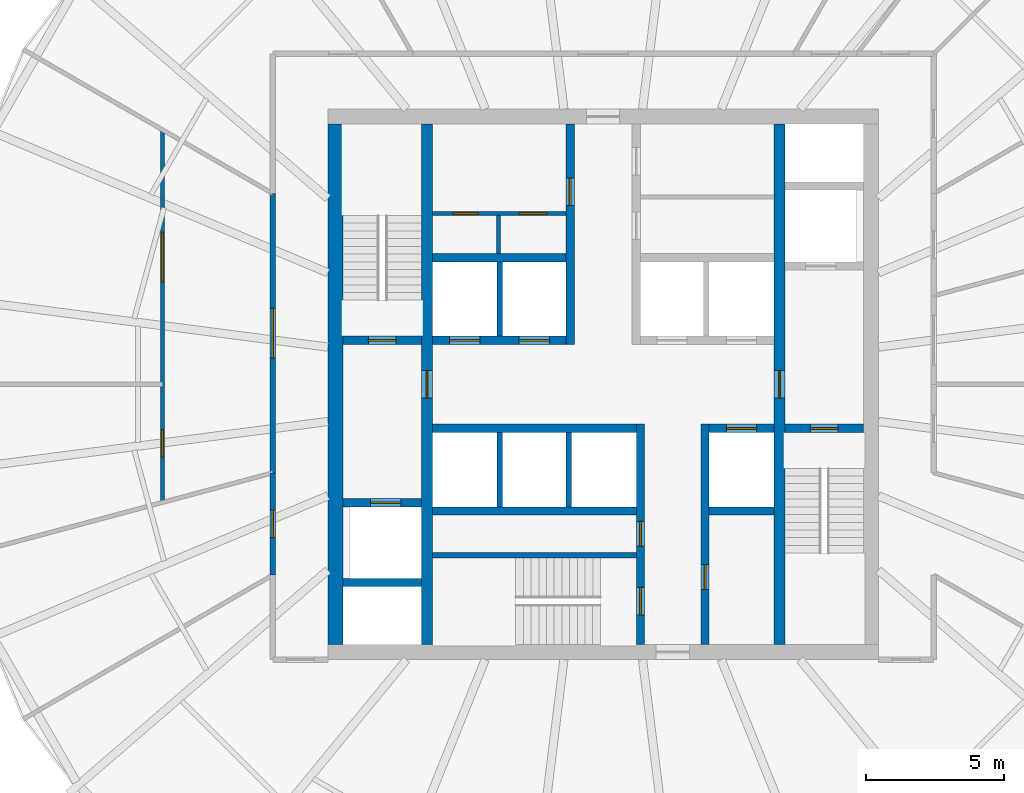
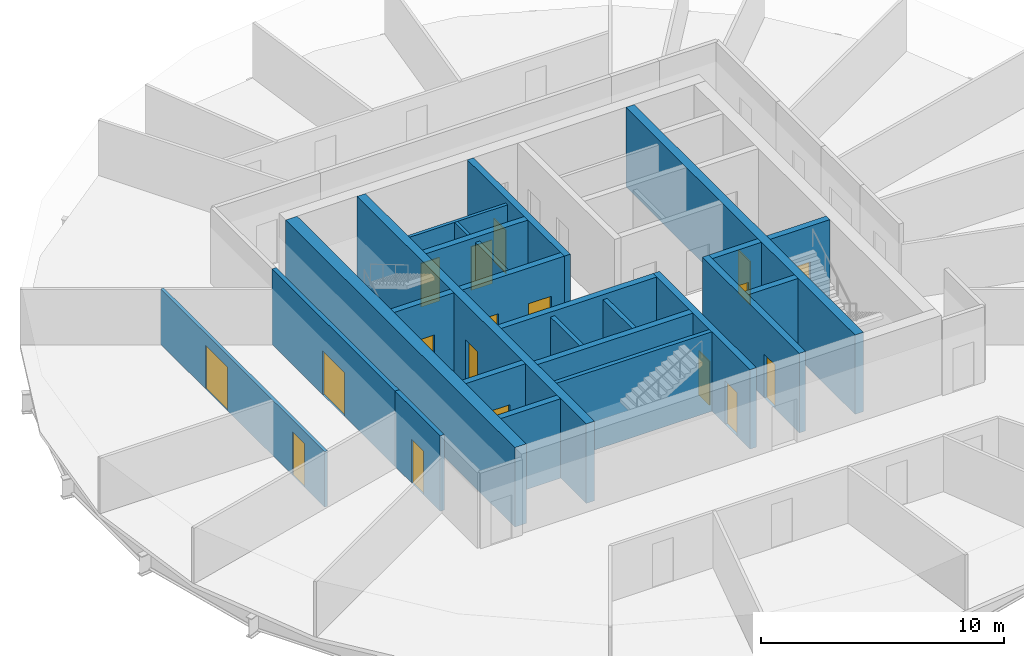
# One storey, part 3 of 6: 25 walls, 18 doors, 18 openings.
"""IFC4 building model written with IfcOpenShell, lengths in metres."""

from ifc_helpers import new_model, si_unit, direction, frame, frame_2d, origin, place, context, subcontext, project, spatial, rectangle, extrude, material, layer, layer_set, type_object, element, fill, save


model = new_model("IFC4")

# Units and contexts
model_context = context("Model", 3, precision=1e-05, world=origin(), true_north=direction((0.0, 1.0)))
body_context = subcontext(model_context, "Body", "Model", "MODEL_VIEW")
ifc_project = project(units=[si_unit("LENGTHUNIT", "METRE"), si_unit("AREAUNIT", "SQUARE_METRE"), si_unit("VOLUMEUNIT", "CUBIC_METRE"), si_unit("PLANEANGLEUNIT", "RADIAN"), si_unit("MASSUNIT", "GRAM", prefix="KILO")], contexts=[model_context])

# Site, building, storey
site_placement = place(None, origin())
site = spatial("IfcSite", under=ifc_project, at=site_placement, CompositionType="ELEMENT")
building_placement = place(site_placement, origin())
building = spatial("IfcBuilding", under=site, at=building_placement, Name="Golbaran Civic Tower", CompositionType="ELEMENT")
storey_placement = place(building_placement, frame((0.0, 0.0, 142.0)))
storey = spatial("IfcBuildingStorey", under=building, at=storey_placement, Name="L34", CompositionType="ELEMENT", Elevation=142.0)

# Wall, opening, door
ifc_material_1 = material(Name="Concrete C50/60", Category="concrete")
ifc_layer_1 = layer(ifc_material_1, 0.39990234375, Name="Concrete C50/60")
ifc_layer_set_1 = layer_set([ifc_layer_1], Name="Concrete C50/60")
wall_type_1 = type_object("IfcWallType", Name="CORE WALL CONCRETE 400", PredefinedType="SOLIDWALL", material=ifc_layer_set_1)
wall_1_placement = place(storey_placement, frame((-6.39990234375, -9.449951171875, 0.0), z_axis=(0.0, 0.0, 1.0), x_axis=(0.0, 1.0, 0.0)))
wall_1 = element("IfcWall", 1, at=wall_1_placement, inside=storey, type_object=wall_type_1, Name="Core wall IW L34", PredefinedType="SOLIDWALL", context=body_context, shape_type="SweptSolid", body=[
    extrude(rectangle(XDim=18.89990234375, YDim=0.39990234375, at=frame_2d((9.449951171875, 0.0))), origin(), (0.0, 0.0, 1.0), 4.0),
])
opening_1_placement = place(wall_1_placement, frame((8.949951171875, 0.0, 0.0)))
opening_1 = element("IfcOpeningElement", 2, at=opening_1_placement, cuts=wall_1, Name="Opening L34.FL1", PredefinedType="OPENING", context=body_context, shape_type="SweptSolid", body=[
    extrude(rectangle(XDim=1.0, YDim=2.199951171875, at=frame_2d((0.5, 1.10009765625))), frame((0.0, 0.2099609375, 0.0), z_axis=(0.0, -1.0, 0.0), x_axis=(1.0, 0.0, 0.0)), (0.0, 0.0, 1.0), 0.419921875),
])
ifc_material_2 = material(Name="Timber door set in steel frame", Category="steel")
door_type_1 = type_object("IfcDoorType", Name="STAIR DOOR 1000x2200", OperationType="SINGLE_SWING_LEFT", PredefinedType="DOOR", material=ifc_material_2)
door_1_placement = place(opening_1_placement, origin())
door_1 = element("IfcDoor", 3, at=door_1_placement, inside=storey, type_object=door_type_1, Name="Fire-fighting lobby FL1 door", OperationType="SINGLE_SWING_LEFT", OverallHeight=2.199951171875, OverallWidth=1.0, PredefinedType="DOOR", context=body_context, shape_type="SweptSolid", body=[
    extrude(rectangle(XDim=1.0, YDim=2.199951171875, at=frame_2d((0.5, 1.10009765625))), frame((0.0, 0.02490234375, 0.0), z_axis=(0.0, -1.0, 0.0), x_axis=(1.0, 0.0, 0.0)), (0.0, 0.0, 1.0), 0.050048828125),
])
fill(opening_1, door_1)

wall_2_placement = place(storey_placement, frame((6.39990234375, 9.449951171875, 0.0), z_axis=(0.0, 0.0, 1.0), x_axis=(0.0, -1.0, 0.0)))
wall_2 = element("IfcWall", 4, at=wall_2_placement, inside=storey, type_object=wall_type_1, Name="Core wall IE L34", PredefinedType="SOLIDWALL", context=body_context, shape_type="SweptSolid", body=[
    extrude(rectangle(XDim=18.89990234375, YDim=0.39990234375, at=frame_2d((9.449951171875, 0.0))), origin(), (0.0, 0.0, 1.0), 4.0),
])
opening_2_placement = place(wall_2_placement, frame((8.949951171875, 0.0, 0.0)))
opening_2 = element("IfcOpeningElement", 5, at=opening_2_placement, cuts=wall_2, Name="Opening L34.FL2", PredefinedType="OPENING", context=body_context, shape_type="SweptSolid", body=[
    extrude(rectangle(XDim=1.0, YDim=2.199951171875, at=frame_2d((0.5, 1.10009765625))), frame((0.0, 0.2099609375, 0.0), z_axis=(0.0, -1.0, 0.0), x_axis=(1.0, 0.0, 0.0)), (0.0, 0.0, 1.0), 0.419921875),
])
door_2_placement = place(opening_2_placement, origin())
door_2 = element("IfcDoor", 6, at=door_2_placement, inside=storey, type_object=door_type_1, Name="Fire-fighting lobby FL2 door", OperationType="SINGLE_SWING_RIGHT", OverallHeight=2.199951171875, OverallWidth=1.0, PredefinedType="DOOR", context=body_context, shape_type="SweptSolid", body=[
    extrude(rectangle(XDim=1.0, YDim=2.199951171875, at=frame_2d((0.5, 1.10009765625))), frame((0.0, 0.02490234375, 0.0), z_axis=(0.0, -1.0, 0.0), x_axis=(1.0, 0.0, 0.0)), (0.0, 0.0, 1.0), 0.050048828125),
])
fill(opening_2, door_2)

# Wall
ifc_layer_2 = layer(ifc_material_1, 0.550048828125, Name="Concrete C50/60")
ifc_layer_set_2 = layer_set([ifc_layer_2], Name="Concrete C50/60")
wall_type_2 = type_object("IfcWallType", Name="CORE WALL CONCRETE 550", PredefinedType="SOLIDWALL", material=ifc_layer_set_2)
wall_3_placement = place(storey_placement, frame((-9.72509765625, 9.449951171875, 0.0), z_axis=(0.0, 0.0, 1.0), x_axis=(0.0, -1.0, 0.0)))
element("IfcWall", 7, at=wall_3_placement, inside=storey, type_object=wall_type_2, Name="Core wall CW L34", PredefinedType="SOLIDWALL", context=body_context, shape_type="SweptSolid", body=[
    extrude(rectangle(XDim=18.89990234375, YDim=0.550048828125, at=frame_2d((9.449951171875, 0.0))), origin(), (0.0, 0.0, 1.0), 4.0),
])

# Wall, opening, door
ifc_material_3 = material(Name="Gypsum board on steel studs, fire-rated", Category="steel")
ifc_layer_3 = layer(ifc_material_3, 0.199951171875, Name="Gypsum board on steel studs, fire-rated")
ifc_layer_set_3 = layer_set([ifc_layer_3], Name="Gypsum board on steel studs, fire-rated")
wall_type_3 = type_object("IfcWallType", Name="CORRIDOR WALL 200", PredefinedType="PARTITIONING", material=ifc_layer_set_3)
wall_4_placement = place(storey_placement, frame((-12.0, 6.92822265625, 0.0), z_axis=(0.0, 0.0, 1.0), x_axis=(0.0, -1.0, 0.0)))
wall_4 = element("IfcWall", 8, at=wall_4_placement, inside=storey, type_object=wall_type_3, Name="Corridor wall L34", PredefinedType="PARTITIONING", context=body_context, shape_type="SweptSolid", body=[
    extrude(rectangle(XDim=10.1435546875, YDim=0.199951171875, at=frame_2d((5.07177734375, 0.0))), origin(), (0.0, 0.0, 1.0), 3.800048828125),
])
opening_3_placement = place(wall_4_placement, frame((4.171875, 0.0, 0.0)))
opening_3 = element("IfcOpeningElement", 9, at=opening_3_placement, cuts=wall_4, Name="Opening L34.19", PredefinedType="OPENING", context=body_context, shape_type="SweptSolid", body=[
    extrude(rectangle(XDim=1.800048828125, YDim=2.199951171875, at=frame_2d((0.89990234375, 1.10009765625))), frame((0.0, 0.10986328125, 0.0), z_axis=(0.0, -1.0, 0.0), x_axis=(1.0, 0.0, 0.0)), (0.0, 0.0, 1.0), 0.219970703125),
])
door_type_2 = type_object("IfcDoorType", Name="OFFICE DOUBLE DOOR 1800x2200", OperationType="DOUBLE_DOOR_SINGLE_SWING", PredefinedType="DOOR", material=ifc_material_2)
door_3_placement = place(opening_3_placement, origin())
door_3 = element("IfcDoor", 10, at=door_3_placement, inside=storey, type_object=door_type_2, Name="Secretariat door L34", OperationType="DOUBLE_DOOR_SINGLE_SWING", OverallHeight=2.199951171875, OverallWidth=1.800048828125, PredefinedType="DOOR", context=body_context, shape_type="SweptSolid", body=[
    extrude(rectangle(XDim=1.800048828125, YDim=2.199951171875, at=frame_2d((0.89990234375, 1.10009765625))), frame((0.0, 0.02490234375, 0.0), z_axis=(0.0, -1.0, 0.0), x_axis=(1.0, 0.0, 0.0)), (0.0, 0.0, 1.0), 0.050048828125),
])
fill(opening_3, door_3)

wall_5_placement = place(storey_placement, frame((-12.0, -3.21533203125, 0.0), z_axis=(0.0, 0.0, 1.0), x_axis=(0.0, -1.0, 0.0)))
wall_5 = element("IfcWall", 11, at=wall_5_placement, inside=storey, type_object=wall_type_3, Name="Corridor wall L34", PredefinedType="PARTITIONING", context=body_context, shape_type="SweptSolid", body=[
    extrude(rectangle(XDim=3.712890625, YDim=0.199951171875, at=frame_2d((1.8564453125, 0.0))), origin(), (0.0, 0.0, 1.0), 3.800048828125),
])
opening_4_placement = place(wall_5_placement, frame((1.3564453125, 0.0, 0.0)))
opening_4 = element("IfcOpeningElement", 12, at=opening_4_placement, cuts=wall_5, Name="Opening L34.20", PredefinedType="OPENING", context=body_context, shape_type="SweptSolid", body=[
    extrude(rectangle(XDim=1.0, YDim=2.199951171875, at=frame_2d((0.5, 1.10009765625))), frame((0.0, 0.10986328125, 0.0), z_axis=(0.0, -1.0, 0.0), x_axis=(1.0, 0.0, 0.0)), (0.0, 0.0, 1.0), 0.219970703125),
])
door_type_3 = type_object("IfcDoorType", Name="OFFICE DOOR 1000x2200", OperationType="SINGLE_SWING_LEFT", PredefinedType="DOOR", material=ifc_material_2)
door_4_placement = place(opening_4_placement, origin())
door_4 = element("IfcDoor", 13, at=door_4_placement, inside=storey, type_object=door_type_3, Name="Meeting Room door L34", OperationType="SINGLE_SWING_RIGHT", OverallHeight=2.199951171875, OverallWidth=1.0, PredefinedType="DOOR", context=body_context, shape_type="SweptSolid", body=[
    extrude(rectangle(XDim=1.0, YDim=2.199951171875, at=frame_2d((0.5, 1.10009765625))), frame((0.0, 0.02490234375, 0.0), z_axis=(0.0, -1.0, 0.0), x_axis=(1.0, 0.0, 0.0)), (0.0, 0.0, 1.0), 0.050048828125),
])
fill(opening_4, door_4)

# Walls
ifc_material_4 = material(Name="Concrete block", Category="concrete")
ifc_layer_4 = layer(ifc_material_4, 0.199951171875, Name="Concrete block")
ifc_layer_set_4 = layer_set([ifc_layer_4], Name="Concrete block")
wall_type_4 = type_object("IfcWallType", Name="LIFT SEPARATOR WALL 200", PredefinedType="SOLIDWALL", material=ifc_layer_set_4)
for number, where, z_axis, x_axis, name in (
    (14, (-3.75, 1.75, 0.0), (0.0, 0.0, 1.0), (0.0, 1.0, 0.0), "Core partition SNW L34"),
    (15, (-3.75, -1.75, 0.0), (0.0, 0.0, 1.0), (0.0, -1.0, 0.0), "Core partition SSW L34"),
    (16, (-1.25, -1.75, 0.0), (0.0, 0.0, 1.0), (0.0, -1.0, 0.0), "Core partition SSM L34"),
):
    element("IfcWall", number, at=place(storey_placement, frame(where, z_axis=z_axis, x_axis=x_axis)), inside=storey, type_object=wall_type_4, Name=name, PredefinedType="SOLIDWALL", context=body_context, shape_type="SweptSolid", body=[
        extrude(rectangle(XDim=2.699951171875, YDim=0.199951171875, at=frame_2d((1.35009765625, 0.0))), origin(), (0.0, 0.0, 1.0), 3.75),
    ])

# Wall, openings, doors
ifc_material_5 = material(Name="Gypsum board on steel studs", Category="steel")
ifc_layer_5 = layer(ifc_material_5, 0.14990234375, Name="Gypsum board on steel studs")
ifc_layer_set_5 = layer_set([ifc_layer_5], Name="Gypsum board on steel studs")
wall_type_5 = type_object("IfcWallType", Name="OFFICE PARTITION 150", PredefinedType="PARTITIONING", material=ifc_layer_set_5)
wall_6_placement = place(storey_placement, frame((-16.0, 9.237548828125, 0.0), z_axis=(0.0, 0.0, 1.0), x_axis=(0.0, -1.0, 0.0)))
wall_6 = element("IfcWall", 17, at=wall_6_placement, inside=storey, type_object=wall_type_5, Name="Suite partition L34", PredefinedType="PARTITIONING", context=body_context, shape_type="SweptSolid", body=[
    extrude(rectangle(XDim=13.524658203125, YDim=0.14990234375, at=frame_2d((6.76220703125, 0.0))), origin(), (0.0, 0.0, 1.0), 2.7900390625),
])
opening_5_placement = place(wall_6_placement, frame((3.71875, 0.0, 0.0)))
opening_5 = element("IfcOpeningElement", 18, at=opening_5_placement, cuts=wall_6, Name="Opening L34.05", PredefinedType="OPENING", context=body_context, shape_type="SweptSolid", body=[
    extrude(rectangle(XDim=1.800048828125, YDim=2.199951171875, at=frame_2d((0.89990234375, 1.10009765625))), frame((0.0, 0.0849609375, 0.0), z_axis=(0.0, -1.0, 0.0), x_axis=(1.0, 0.0, 0.0)), (0.0, 0.0, 1.0), 0.169921875),
])
opening_6_placement = place(wall_6_placement, frame((10.881103515625, 0.0, 0.0)))
opening_6 = element("IfcOpeningElement", 19, at=opening_6_placement, cuts=wall_6, Name="Opening L34.06", PredefinedType="OPENING", context=body_context, shape_type="SweptSolid", body=[
    extrude(rectangle(XDim=1.0, YDim=2.199951171875, at=frame_2d((0.5, 1.10009765625))), frame((0.0, 0.0849609375, 0.0), z_axis=(0.0, -1.0, 0.0), x_axis=(1.0, 0.0, 0.0)), (0.0, 0.0, 1.0), 0.169921875),
])
door_5_placement = place(opening_6_placement, origin())
door_5 = element("IfcDoor", 20, at=door_5_placement, inside=storey, type_object=door_type_3, Name="Office door L34", OperationType="SINGLE_SWING_RIGHT", OverallHeight=2.199951171875, OverallWidth=1.0, PredefinedType="DOOR", context=body_context, shape_type="SweptSolid", body=[
    extrude(rectangle(XDim=1.0, YDim=2.199951171875, at=frame_2d((0.5, 1.10009765625))), frame((0.0, 0.02490234375, 0.0), z_axis=(0.0, -1.0, 0.0), x_axis=(1.0, 0.0, 0.0)), (0.0, 0.0, 1.0), 0.050048828125),
])
fill(opening_6, door_5)
door_6_placement = place(opening_5_placement, origin())
door_6 = element("IfcDoor", 21, at=door_6_placement, inside=storey, type_object=door_type_2, Name="Office door L34", OperationType="DOUBLE_DOOR_SINGLE_SWING", OverallHeight=2.199951171875, OverallWidth=1.800048828125, PredefinedType="DOOR", context=body_context, shape_type="SweptSolid", body=[
    extrude(rectangle(XDim=1.800048828125, YDim=2.199951171875, at=frame_2d((0.89990234375, 1.10009765625))), frame((0.0, 0.02490234375, 0.0), z_axis=(0.0, -1.0, 0.0), x_axis=(1.0, 0.0, 0.0)), (0.0, 0.0, 1.0), 0.050048828125),
])
fill(opening_5, door_6)

# Wall
ifc_layer_6 = layer(ifc_material_1, 0.199951171875, Name="Concrete C50/60")
ifc_layer_set_6 = layer_set([ifc_layer_6], Name="Concrete C50/60")
wall_type_6 = type_object("IfcWallType", Name="SHAFT WALL CONCRETE 200", PredefinedType="SOLIDWALL", material=ifc_layer_set_6)
wall_7_placement = place(storey_placement, frame((-6.199951171875, -6.199951171875, 0.0), z_axis=(0.0, 0.0, 1.0), x_axis=(1.0, 0.0, 0.0)))
element("IfcWall", 22, at=wall_7_placement, inside=storey, type_object=wall_type_6, Name="Core wall S3N L34", PredefinedType="SOLIDWALL", context=body_context, shape_type="SweptSolid", body=[
    extrude(rectangle(XDim=7.39990234375, YDim=0.199951171875, at=frame_2d((3.699951171875, 0.0))), origin(), (0.0, 0.0, 1.0), 4.0),
])

# Wall, openings, doors
ifc_layer_7 = layer(ifc_material_1, 0.300048828125, Name="Concrete C50/60")
ifc_layer_set_7 = layer_set([ifc_layer_7], Name="Concrete C50/60")
wall_type_7 = type_object("IfcWallType", Name="SHAFT WALL CONCRETE 300", PredefinedType="SOLIDWALL", material=ifc_layer_set_7)
wall_8_placement = place(storey_placement, frame((-6.199951171875, 1.60009765625, 0.0), z_axis=(0.0, 0.0, 1.0), x_axis=(1.0, 0.0, 0.0)))
wall_8 = element("IfcWall", 23, at=wall_8_placement, inside=storey, type_object=wall_type_7, Name="Core wall FNW L34", PredefinedType="SOLIDWALL", context=body_context, shape_type="SweptSolid", body=[
    extrude(rectangle(XDim=4.849853515625, YDim=0.300048828125, at=frame_2d((2.4248046875, 0.0))), origin(), (0.0, 0.0, 1.0), 4.0),
])
opening_7_placement = place(wall_8_placement, frame((0.625, 0.0, 0.0)))
opening_7 = element("IfcOpeningElement", 24, at=opening_7_placement, cuts=wall_8, Name="Opening L34.LD-Z1M", PredefinedType="OPENING", context=body_context, shape_type="SweptSolid", body=[
    extrude(rectangle(XDim=1.10009765625, YDim=2.199951171875, at=frame_2d((0.550048828125, 1.10009765625))), frame((0.0, 0.159912109375, 0.0), z_axis=(0.0, -1.0, 0.0), x_axis=(1.0, 0.0, 0.0)), (0.0, 0.0, 1.0), 0.320068359375),
])
opening_8_placement = place(wall_8_placement, frame((3.14990234375, 0.0, 0.0)))
opening_8 = element("IfcOpeningElement", 25, at=opening_8_placement, cuts=wall_8, Name="Opening L34.LD-Z2M", PredefinedType="OPENING", context=body_context, shape_type="SweptSolid", body=[
    extrude(rectangle(XDim=1.10009765625, YDim=2.199951171875, at=frame_2d((0.550048828125, 1.10009765625))), frame((0.0, 0.159912109375, 0.0), z_axis=(0.0, -1.0, 0.0), x_axis=(1.0, 0.0, 0.0)), (0.0, 0.0, 1.0), 0.320068359375),
])
ifc_material_6 = material(Name="Stainless steel", Category="steel")
door_type_4 = type_object("IfcDoorType", Name="LIFT LANDING DOOR 1100x2200", OperationType="SLIDING_TO_LEFT", PredefinedType="DOOR", material=ifc_material_6)
door_7_placement = place(opening_7_placement, origin())
door_7 = element("IfcDoor", 26, at=door_7_placement, inside=storey, type_object=door_type_4, Name="Lift landing door Z1M", OperationType="SLIDING_TO_LEFT", OverallHeight=2.199951171875, OverallWidth=1.10009765625, PredefinedType="DOOR", context=body_context, shape_type="SweptSolid", body=[
    extrude(rectangle(XDim=1.10009765625, YDim=2.199951171875, at=frame_2d((0.550048828125, 1.10009765625))), frame((0.0, 0.02490234375, 0.0), z_axis=(0.0, -1.0, 0.0), x_axis=(1.0, 0.0, 0.0)), (0.0, 0.0, 1.0), 0.050048828125),
])
fill(opening_7, door_7)
door_8_placement = place(opening_8_placement, origin())
door_8 = element("IfcDoor", 27, at=door_8_placement, inside=storey, type_object=door_type_4, Name="Lift landing door Z2M", OperationType="SLIDING_TO_LEFT", OverallHeight=2.199951171875, OverallWidth=1.10009765625, PredefinedType="DOOR", context=body_context, shape_type="SweptSolid", body=[
    extrude(rectangle(XDim=1.10009765625, YDim=2.199951171875, at=frame_2d((0.550048828125, 1.10009765625))), frame((0.0, 0.02490234375, 0.0), z_axis=(0.0, -1.0, 0.0), x_axis=(1.0, 0.0, 0.0)), (0.0, 0.0, 1.0), 0.050048828125),
])
fill(opening_8, door_8)

# Wall
wall_9_placement = place(storey_placement, frame((-6.199951171875, 4.60009765625, 0.0), z_axis=(0.0, 0.0, 1.0), x_axis=(1.0, 0.0, 0.0)))
element("IfcWall", 28, at=wall_9_placement, inside=storey, type_object=wall_type_7, Name="Core wall BNW L34", PredefinedType="SOLIDWALL", context=body_context, shape_type="SweptSolid", body=[
    extrude(rectangle(XDim=4.849853515625, YDim=0.300048828125, at=frame_2d((2.4248046875, 0.0))), origin(), (0.0, 0.0, 1.0), 4.0),
])

# Wall, opening, door
wall_10_placement = place(storey_placement, frame((-1.199951171875, 1.449951171875, 0.0), z_axis=(0.0, 0.0, 1.0), x_axis=(0.0, 1.0, 0.0)))
wall_10 = element("IfcWall", 29, at=wall_10_placement, inside=storey, type_object=wall_type_7, Name="Core wall PNW L34", PredefinedType="SOLIDWALL", context=body_context, shape_type="SweptSolid", body=[
    extrude(rectangle(XDim=8.0, YDim=0.300048828125, at=frame_2d((4.0, 0.0))), origin(), (0.0, 0.0, 1.0), 4.0),
])
opening_9_placement = place(wall_10_placement, frame((5.050048828125, 0.0, 0.0)))
opening_9 = element("IfcOpeningElement", 30, at=opening_9_placement, cuts=wall_10, Name="Opening L34.WCM", PredefinedType="OPENING", context=body_context, shape_type="SweptSolid", body=[
    extrude(rectangle(XDim=1.0, YDim=2.199951171875, at=frame_2d((0.5, 1.10009765625))), frame((0.0, 0.159912109375, 0.0), z_axis=(0.0, -1.0, 0.0), x_axis=(1.0, 0.0, 0.0)), (0.0, 0.0, 1.0), 0.320068359375),
])
door_type_5 = type_object("IfcDoorType", Name="TOILET DOOR 1000x2200", OperationType="SINGLE_SWING_LEFT", PredefinedType="DOOR", material=ifc_material_2)
door_9_placement = place(opening_9_placement, origin())
door_9 = element("IfcDoor", 31, at=door_9_placement, inside=storey, type_object=door_type_5, Name="North-west toilet block door", OperationType="SINGLE_SWING_RIGHT", OverallHeight=2.199951171875, OverallWidth=1.0, PredefinedType="DOOR", context=body_context, shape_type="SweptSolid", body=[
    extrude(rectangle(XDim=1.0, YDim=2.199951171875, at=frame_2d((0.5, 1.10009765625))), frame((0.0, 0.02490234375, 0.0), z_axis=(0.0, -1.0, 0.0), x_axis=(1.0, 0.0, 0.0)), (0.0, 0.0, 1.0), 0.050048828125),
])
fill(opening_9, door_9)

# Wall
wall_11_placement = place(storey_placement, frame((-6.199951171875, -1.60009765625, 0.0), z_axis=(0.0, 0.0, 1.0), x_axis=(1.0, 0.0, 0.0)))
element("IfcWall", 32, at=wall_11_placement, inside=storey, type_object=wall_type_7, Name="Core wall FSW L34", PredefinedType="SOLIDWALL", context=body_context, shape_type="SweptSolid", body=[
    extrude(rectangle(XDim=7.39990234375, YDim=0.300048828125, at=frame_2d((3.699951171875, 0.0))), origin(), (0.0, 0.0, 1.0), 4.0),
])

# Wall, opening, door
wall_12_placement = place(storey_placement, frame((3.85009765625, -1.60009765625, 0.0), z_axis=(0.0, 0.0, 1.0), x_axis=(1.0, 0.0, 0.0)))
wall_12 = element("IfcWall", 33, at=wall_12_placement, inside=storey, type_object=wall_type_7, Name="Core wall FSE L34", PredefinedType="SOLIDWALL", context=body_context, shape_type="SweptSolid", body=[
    extrude(rectangle(XDim=2.349853515625, YDim=0.300048828125, at=frame_2d((1.1748046875, 0.0))), origin(), (0.0, 0.0, 1.0), 4.0),
])
opening_10_placement = place(wall_12_placement, frame((0.625, 0.0, 0.0)))
opening_10 = element("IfcOpeningElement", 34, at=opening_10_placement, cuts=wall_12, Name="Opening L34.LD-V1", PredefinedType="OPENING", context=body_context, shape_type="SweptSolid", body=[
    extrude(rectangle(XDim=1.10009765625, YDim=2.199951171875, at=frame_2d((0.550048828125, 1.10009765625))), frame((0.0, 0.159912109375, 0.0), z_axis=(0.0, -1.0, 0.0), x_axis=(1.0, 0.0, 0.0)), (0.0, 0.0, 1.0), 0.320068359375),
])
door_10_placement = place(opening_10_placement, origin())
door_10 = element("IfcDoor", 35, at=door_10_placement, inside=storey, type_object=door_type_4, Name="Lift landing door V1", OperationType="SLIDING_TO_LEFT", OverallHeight=2.199951171875, OverallWidth=1.10009765625, PredefinedType="DOOR", context=body_context, shape_type="SweptSolid", body=[
    extrude(rectangle(XDim=1.10009765625, YDim=2.199951171875, at=frame_2d((0.550048828125, 1.10009765625))), frame((0.0, 0.02490234375, 0.0), z_axis=(0.0, -1.0, 0.0), x_axis=(1.0, 0.0, 0.0)), (0.0, 0.0, 1.0), 0.050048828125),
])
fill(opening_10, door_10)

# Walls
wall_13_placement = place(storey_placement, frame((-6.199951171875, -4.60009765625, 0.0), z_axis=(0.0, 0.0, 1.0), x_axis=(1.0, 0.0, 0.0)))
element("IfcWall", 36, at=wall_13_placement, inside=storey, type_object=wall_type_7, Name="Core wall BSW L34", PredefinedType="SOLIDWALL", context=body_context, shape_type="SweptSolid", body=[
    extrude(rectangle(XDim=7.39990234375, YDim=0.300048828125, at=frame_2d((3.699951171875, 0.0))), origin(), (0.0, 0.0, 1.0), 4.0),
])
wall_14_placement = place(storey_placement, frame((3.85009765625, -4.60009765625, 0.0), z_axis=(0.0, 0.0, 1.0), x_axis=(1.0, 0.0, 0.0)))
element("IfcWall", 37, at=wall_14_placement, inside=storey, type_object=wall_type_7, Name="Core wall BSE L34", PredefinedType="SOLIDWALL", context=body_context, shape_type="SweptSolid", body=[
    extrude(rectangle(XDim=2.349853515625, YDim=0.300048828125, at=frame_2d((1.1748046875, 0.0))), origin(), (0.0, 0.0, 1.0), 4.0),
])

# Wall, openings, doors
wall_15_placement = place(storey_placement, frame((1.35009765625, -1.449951171875, 0.0), z_axis=(0.0, 0.0, 1.0), x_axis=(0.0, -1.0, 0.0)))
wall_15 = element("IfcWall", 38, at=wall_15_placement, inside=storey, type_object=wall_type_7, Name="Core wall PSW L34", PredefinedType="SOLIDWALL", context=body_context, shape_type="SweptSolid", body=[
    extrude(rectangle(XDim=8.0, YDim=0.300048828125, at=frame_2d((4.0, 0.0))), origin(), (0.0, 0.0, 1.0), 4.0),
])
opening_11_placement = place(wall_15_placement, frame((5.925048828125, 0.0, 0.0)))
opening_11 = element("IfcOpeningElement", 39, at=opening_11_placement, cuts=wall_15, Name="Opening L34.S3", PredefinedType="OPENING", context=body_context, shape_type="SweptSolid", body=[
    extrude(rectangle(XDim=1.0, YDim=2.199951171875, at=frame_2d((0.5, 1.10009765625))), frame((0.0, 0.159912109375, 0.0), z_axis=(0.0, -1.0, 0.0), x_axis=(1.0, 0.0, 0.0)), (0.0, 0.0, 1.0), 0.320068359375),
])
opening_12_placement = place(wall_15_placement, frame((3.52490234375, 0.0, 0.0)))
opening_12 = element("IfcOpeningElement", 40, at=opening_12_placement, cuts=wall_15, Name="Opening L34.RE", PredefinedType="OPENING", context=body_context, shape_type="SweptSolid", body=[
    extrude(rectangle(XDim=0.89990234375, YDim=2.199951171875, at=frame_2d((0.449951171875, 1.10009765625))), frame((0.0, 0.159912109375, 0.0), z_axis=(0.0, -1.0, 0.0), x_axis=(1.0, 0.0, 0.0)), (0.0, 0.0, 1.0), 0.320068359375),
])
door_type_6 = type_object("IfcDoorType", Name="RISER DOOR 900x2200", OperationType="SINGLE_SWING_LEFT", PredefinedType="DOOR", material=ifc_material_2)
door_11_placement = place(opening_12_placement, origin())
door_11 = element("IfcDoor", 41, at=door_11_placement, inside=storey, type_object=door_type_6, Name="Electrical riser door", OperationType="SINGLE_SWING_LEFT", OverallHeight=2.199951171875, OverallWidth=0.89990234375, PredefinedType="DOOR", context=body_context, shape_type="SweptSolid", body=[
    extrude(rectangle(XDim=0.89990234375, YDim=2.199951171875, at=frame_2d((0.449951171875, 1.10009765625))), frame((0.0, 0.02490234375, 0.0), z_axis=(0.0, -1.0, 0.0), x_axis=(1.0, 0.0, 0.0)), (0.0, 0.0, 1.0), 0.050048828125),
])
fill(opening_12, door_11)
door_12_placement = place(opening_11_placement, origin())
door_12 = element("IfcDoor", 42, at=door_12_placement, inside=storey, type_object=door_type_1, Name="Stair S3 door", OperationType="SINGLE_SWING_RIGHT", OverallHeight=2.199951171875, OverallWidth=1.0, PredefinedType="DOOR", context=body_context, shape_type="SweptSolid", body=[
    extrude(rectangle(XDim=1.0, YDim=2.199951171875, at=frame_2d((0.5, 1.10009765625))), frame((0.0, 0.02490234375, 0.0), z_axis=(0.0, -1.0, 0.0), x_axis=(1.0, 0.0, 0.0)), (0.0, 0.0, 1.0), 0.050048828125),
])
fill(opening_11, door_12)

# Wall, opening, door
wall_16_placement = place(storey_placement, frame((3.699951171875, -1.449951171875, 0.0), z_axis=(0.0, 0.0, 1.0), x_axis=(0.0, -1.0, 0.0)))
wall_16 = element("IfcWall", 43, at=wall_16_placement, inside=storey, type_object=wall_type_7, Name="Core wall PSE L34", PredefinedType="SOLIDWALL", context=body_context, shape_type="SweptSolid", body=[
    extrude(rectangle(XDim=8.0, YDim=0.300048828125, at=frame_2d((4.0, 0.0))), origin(), (0.0, 0.0, 1.0), 4.0),
])
opening_13_placement = place(wall_16_placement, frame((5.10009765625, 0.0, 0.0)))
opening_13 = element("IfcOpeningElement", 44, at=opening_13_placement, cuts=wall_16, Name="Opening L34.RM", PredefinedType="OPENING", context=body_context, shape_type="SweptSolid", body=[
    extrude(rectangle(XDim=0.89990234375, YDim=2.199951171875, at=frame_2d((0.449951171875, 1.10009765625))), frame((0.0, 0.159912109375, 0.0), z_axis=(0.0, -1.0, 0.0), x_axis=(1.0, 0.0, 0.0)), (0.0, 0.0, 1.0), 0.320068359375),
])
door_13_placement = place(opening_13_placement, origin())
door_13 = element("IfcDoor", 45, at=door_13_placement, inside=storey, type_object=door_type_6, Name="Mechanical riser door", OperationType="SINGLE_SWING_RIGHT", OverallHeight=2.199951171875, OverallWidth=0.89990234375, PredefinedType="DOOR", context=body_context, shape_type="SweptSolid", body=[
    extrude(rectangle(XDim=0.89990234375, YDim=2.199951171875, at=frame_2d((0.449951171875, 1.10009765625))), frame((0.0, 0.02490234375, 0.0), z_axis=(0.0, -1.0, 0.0), x_axis=(1.0, 0.0, 0.0)), (0.0, 0.0, 1.0), 0.050048828125),
])
fill(opening_13, door_13)

wall_17_placement = place(storey_placement, frame((-9.449951171875, 1.60009765625, 0.0), z_axis=(0.0, 0.0, 1.0), x_axis=(1.0, 0.0, 0.0)))
wall_17 = element("IfcWall", 46, at=wall_17_placement, inside=storey, type_object=wall_type_7, Name="Core wall XW1 L34", PredefinedType="SOLIDWALL", context=body_context, shape_type="SweptSolid", body=[
    extrude(rectangle(XDim=2.849853515625, YDim=0.300048828125, at=frame_2d((1.4248046875, 0.0))), origin(), (0.0, 0.0, 1.0), 4.0),
])
opening_14_placement = place(wall_17_placement, frame((0.925048828125, 0.0, 0.0)))
opening_14 = element("IfcOpeningElement", 47, at=opening_14_placement, cuts=wall_17, Name="Opening L34.S1", PredefinedType="OPENING", context=body_context, shape_type="SweptSolid", body=[
    extrude(rectangle(XDim=1.0, YDim=2.199951171875, at=frame_2d((0.5, 1.10009765625))), frame((0.0, 0.159912109375, 0.0), z_axis=(0.0, -1.0, 0.0), x_axis=(1.0, 0.0, 0.0)), (0.0, 0.0, 1.0), 0.320068359375),
])
door_14_placement = place(opening_14_placement, origin())
door_14 = element("IfcDoor", 48, at=door_14_placement, inside=storey, type_object=door_type_1, Name="Stair S1 door", OperationType="SINGLE_SWING_LEFT", OverallHeight=2.199951171875, OverallWidth=1.0, PredefinedType="DOOR", context=body_context, shape_type="SweptSolid", body=[
    extrude(rectangle(XDim=1.0, YDim=2.199951171875, at=frame_2d((0.5, 1.10009765625))), frame((0.0, 0.02490234375, 0.0), z_axis=(0.0, -1.0, 0.0), x_axis=(1.0, 0.0, 0.0)), (0.0, 0.0, 1.0), 0.050048828125),
])
fill(opening_14, door_14)

wall_18_placement = place(storey_placement, frame((6.60009765625, -1.60009765625, 0.0), z_axis=(0.0, 0.0, 1.0), x_axis=(1.0, 0.0, 0.0)))
wall_18 = element("IfcWall", 49, at=wall_18_placement, inside=storey, type_object=wall_type_7, Name="Core wall XE1 L34", PredefinedType="SOLIDWALL", context=body_context, shape_type="SweptSolid", body=[
    extrude(rectangle(XDim=2.849853515625, YDim=0.300048828125, at=frame_2d((1.4248046875, 0.0))), origin(), (0.0, 0.0, 1.0), 4.0),
])
opening_15_placement = place(wall_18_placement, frame((0.925048828125, 0.0, 0.0)))
opening_15 = element("IfcOpeningElement", 50, at=opening_15_placement, cuts=wall_18, Name="Opening L34.S2", PredefinedType="OPENING", context=body_context, shape_type="SweptSolid", body=[
    extrude(rectangle(XDim=1.0, YDim=2.199951171875, at=frame_2d((0.5, 1.10009765625))), frame((0.0, 0.159912109375, 0.0), z_axis=(0.0, -1.0, 0.0), x_axis=(1.0, 0.0, 0.0)), (0.0, 0.0, 1.0), 0.320068359375),
])
door_15_placement = place(opening_15_placement, origin())
door_15 = element("IfcDoor", 51, at=door_15_placement, inside=storey, type_object=door_type_1, Name="Stair S2 door", OperationType="SINGLE_SWING_LEFT", OverallHeight=2.199951171875, OverallWidth=1.0, PredefinedType="DOOR", context=body_context, shape_type="SweptSolid", body=[
    extrude(rectangle(XDim=1.0, YDim=2.199951171875, at=frame_2d((0.5, 1.10009765625))), frame((0.0, 0.02490234375, 0.0), z_axis=(0.0, -1.0, 0.0), x_axis=(1.0, 0.0, 0.0)), (0.0, 0.0, 1.0), 0.050048828125),
])
fill(opening_15, door_15)

wall_19_placement = place(storey_placement, frame((-9.449951171875, -4.300048828125, 0.0), z_axis=(0.0, 0.0, 1.0), x_axis=(1.0, 0.0, 0.0)))
wall_19 = element("IfcWall", 52, at=wall_19_placement, inside=storey, type_object=wall_type_7, Name="Core wall XW2 L34", PredefinedType="SOLIDWALL", context=body_context, shape_type="SweptSolid", body=[
    extrude(rectangle(XDim=2.849853515625, YDim=0.300048828125, at=frame_2d((1.4248046875, 0.0))), origin(), (0.0, 0.0, 1.0), 4.0),
])
opening_16_placement = place(wall_19_placement, frame((1.0, 0.0, 0.0)))
opening_16 = element("IfcOpeningElement", 53, at=opening_16_placement, cuts=wall_19, Name="Opening L34.LD-F1", PredefinedType="OPENING", context=body_context, shape_type="SweptSolid", body=[
    extrude(rectangle(XDim=1.10009765625, YDim=2.199951171875, at=frame_2d((0.550048828125, 1.10009765625))), frame((0.0, 0.159912109375, 0.0), z_axis=(0.0, -1.0, 0.0), x_axis=(1.0, 0.0, 0.0)), (0.0, 0.0, 1.0), 0.320068359375),
])
door_16_placement = place(opening_16_placement, origin())
door_16 = element("IfcDoor", 54, at=door_16_placement, inside=storey, type_object=door_type_4, Name="Lift landing door F1", OperationType="SLIDING_TO_LEFT", OverallHeight=2.199951171875, OverallWidth=1.10009765625, PredefinedType="DOOR", context=body_context, shape_type="SweptSolid", body=[
    extrude(rectangle(XDim=1.10009765625, YDim=2.199951171875, at=frame_2d((0.550048828125, 1.10009765625))), frame((0.0, 0.02490234375, 0.0), z_axis=(0.0, -1.0, 0.0), x_axis=(1.0, 0.0, 0.0)), (0.0, 0.0, 1.0), 0.050048828125),
])
fill(opening_16, door_16)

# Wall
wall_20_placement = place(storey_placement, frame((-9.449951171875, -7.199951171875, 0.0), z_axis=(0.0, 0.0, 1.0), x_axis=(1.0, 0.0, 0.0)))
element("IfcWall", 55, at=wall_20_placement, inside=storey, type_object=wall_type_7, Name="Core wall XW3 L34", PredefinedType="SOLIDWALL", context=body_context, shape_type="SweptSolid", body=[
    extrude(rectangle(XDim=2.849853515625, YDim=0.300048828125, at=frame_2d((1.4248046875, 0.0))), origin(), (0.0, 0.0, 1.0), 4.0),
])

# Wall, openings, doors
ifc_material_7 = material(Name="Moisture-resistant gypsum board on steel studs", Category="steel")
ifc_layer_8 = layer(ifc_material_7, 0.14990234375, Name="Moisture-resistant gypsum board on steel studs")
ifc_layer_set_8 = layer_set([ifc_layer_8], Name="Moisture-resistant gypsum board on steel studs")
wall_type_8 = type_object("IfcWallType", Name="TOILET BLOCK PARTITION 150", PredefinedType="PARTITIONING", material=ifc_layer_set_8)
wall_21_placement = place(storey_placement, frame((-6.199951171875, 6.199951171875, 0.0), z_axis=(0.0, 0.0, 1.0), x_axis=(1.0, 0.0, 0.0)))
wall_21 = element("IfcWall", 56, at=wall_21_placement, inside=storey, type_object=wall_type_8, Name="Toilet block partition MSH L34", PredefinedType="PARTITIONING", context=body_context, shape_type="SweptSolid", body=[
    extrude(rectangle(XDim=4.849853515625, YDim=0.14990234375, at=frame_2d((2.4248046875, 0.0))), origin(), (0.0, 0.0, 1.0), 3.75),
])
opening_17_placement = place(wall_21_placement, frame((3.14990234375, 0.0, 0.0)))
opening_17 = element("IfcOpeningElement", 57, at=opening_17_placement, cuts=wall_21, Name="Opening L34.21", PredefinedType="OPENING", context=body_context, shape_type="SweptSolid", body=[
    extrude(rectangle(XDim=1.0, YDim=2.199951171875, at=frame_2d((0.5, 1.10009765625))), frame((0.0, 0.0849609375, 0.0), z_axis=(0.0, -1.0, 0.0), x_axis=(1.0, 0.0, 0.0)), (0.0, 0.0, 1.0), 0.169921875),
])
opening_18_placement = place(wall_21_placement, frame((0.75, 0.0, 0.0)))
opening_18 = element("IfcOpeningElement", 58, at=opening_18_placement, cuts=wall_21, Name="Opening L34.22", PredefinedType="OPENING", context=body_context, shape_type="SweptSolid", body=[
    extrude(rectangle(XDim=0.89990234375, YDim=2.199951171875, at=frame_2d((0.449951171875, 1.10009765625))), frame((0.0, 0.0849609375, 0.0), z_axis=(0.0, -1.0, 0.0), x_axis=(1.0, 0.0, 0.0)), (0.0, 0.0, 1.0), 0.169921875),
])
door_17_placement = place(opening_18_placement, origin())
door_17 = element("IfcDoor", 59, at=door_17_placement, inside=storey, type_object=door_type_6, Name="Cleaner's store door", OperationType="SINGLE_SWING_LEFT", OverallHeight=2.199951171875, OverallWidth=0.89990234375, PredefinedType="DOOR", context=body_context, shape_type="SweptSolid", body=[
    extrude(rectangle(XDim=0.89990234375, YDim=2.199951171875, at=frame_2d((0.449951171875, 1.10009765625))), frame((0.0, 0.02490234375, 0.0), z_axis=(0.0, -1.0, 0.0), x_axis=(1.0, 0.0, 0.0)), (0.0, 0.0, 1.0), 0.050048828125),
])
fill(opening_18, door_17)
door_18_placement = place(opening_17_placement, origin())
door_18 = element("IfcDoor", 60, at=door_18_placement, inside=storey, type_object=door_type_5, Name="Male shower room door", OperationType="SINGLE_SWING_RIGHT", OverallHeight=2.199951171875, OverallWidth=1.0, PredefinedType="DOOR", context=body_context, shape_type="SweptSolid", body=[
    extrude(rectangle(XDim=1.0, YDim=2.199951171875, at=frame_2d((0.5, 1.10009765625))), frame((0.0, 0.02490234375, 0.0), z_axis=(0.0, -1.0, 0.0), x_axis=(1.0, 0.0, 0.0)), (0.0, 0.0, 1.0), 0.050048828125),
])
fill(opening_17, door_18)

# Wall
wall_22_placement = place(storey_placement, frame((-3.800048828125, 4.75, 0.0), z_axis=(0.0, 0.0, 1.0), x_axis=(0.0, 1.0, 0.0)))
element("IfcWall", 61, at=wall_22_placement, inside=storey, type_object=wall_type_8, Name="Toilet block partition MST L34", PredefinedType="PARTITIONING", context=body_context, shape_type="SweptSolid", body=[
    extrude(rectangle(XDim=1.375, YDim=0.14990234375, at=frame_2d((0.6875, 0.0))), origin(), (0.0, 0.0, 1.0), 3.75),
])

save(model, "model.ifc")
